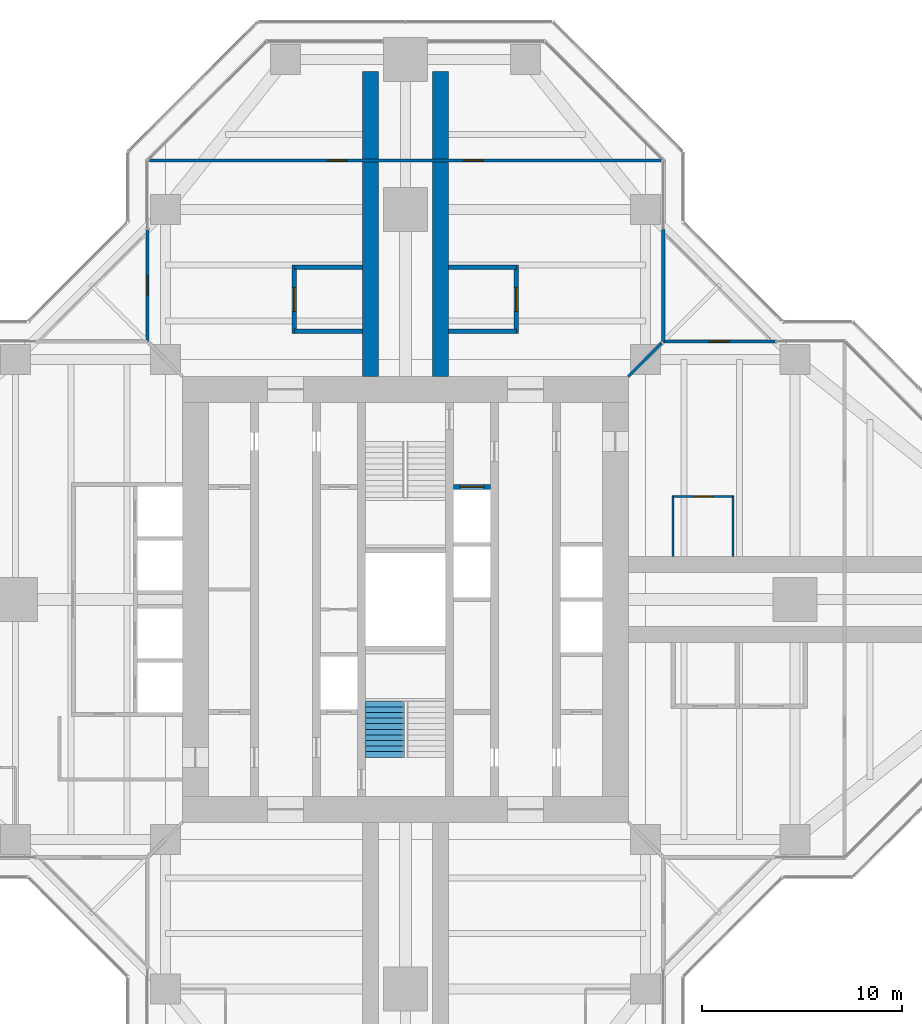
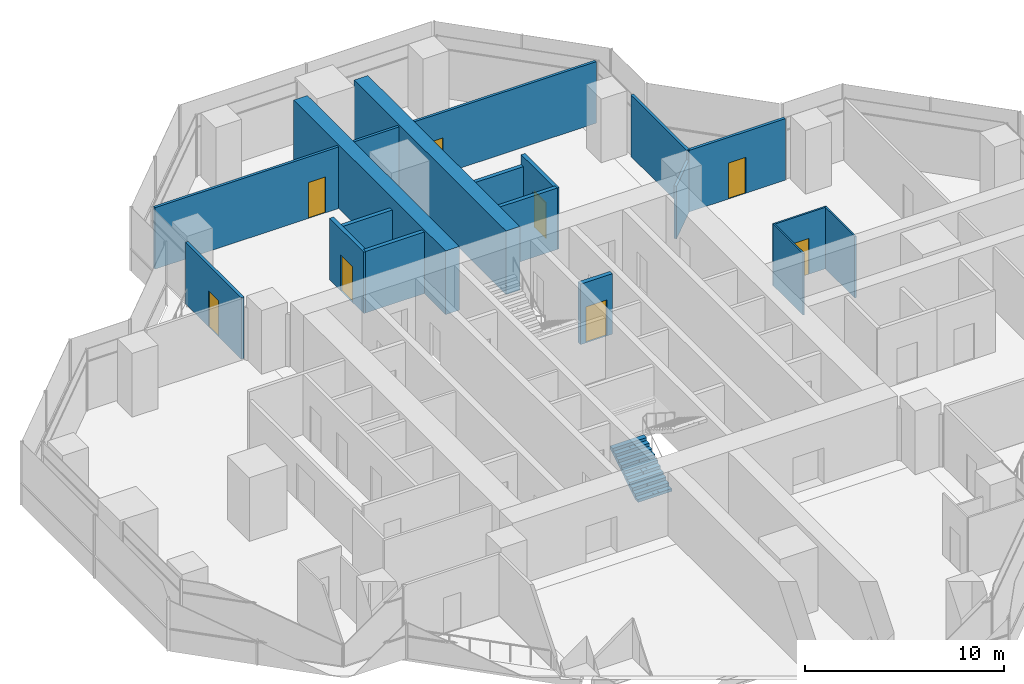
# One storey, part 15 of 17: 17 walls, 8 doors, 1 stair flight, 8 openings, 1 element without a shape of its own.
"""IFC4 building model written with IfcOpenShell, lengths in metres."""

from ifc_helpers import new_model, si_unit, direction, frame, frame_2d, origin, place, context, subcontext, project, spatial, polyline, rectangle, outline, extrude, material, layer, layer_set, type_object, element, fill, aggregate, save


model = new_model("IFC4")

# Units and contexts
model_context = context("Model", 3, precision=1e-05, world=origin(), true_north=direction((0.0, 1.0)))
body_context = subcontext(model_context, "Body", "Model", "MODEL_VIEW")
ifc_project = project(units=[si_unit("LENGTHUNIT", "METRE"), si_unit("AREAUNIT", "SQUARE_METRE"), si_unit("VOLUMEUNIT", "CUBIC_METRE"), si_unit("PLANEANGLEUNIT", "RADIAN"), si_unit("MASSUNIT", "GRAM", prefix="KILO")], contexts=[model_context])

# Site, building, storey
site_placement = place(None, origin())
site = spatial("IfcSite", under=ifc_project, at=site_placement, CompositionType="ELEMENT")
building_placement = place(site_placement, origin())
building = spatial("IfcBuilding", under=site, at=building_placement, Name="Mizan Broadcast Tower", CompositionType="ELEMENT")
storey_placement = place(building_placement, frame((0.0, 0.0, 236.10009765625)))
storey = spatial("IfcBuildingStorey", under=building, at=storey_placement, Name="L55", CompositionType="ELEMENT", Elevation=236.10009765625)

# Wall, opening, door
ifc_material_1 = material(Name="Aluminium framed glazed screen", Category="aluminium")
ifc_layer_1 = layer(ifc_material_1, 0.159912109375)
ifc_layer_set_1 = layer_set([ifc_layer_1], Name="Aluminium framed glazed screen")
wall_type_1 = type_object("IfcWallType", Name="GLAZED SCREEN WALL 160", PredefinedType="SOLIDWALL", material=ifc_layer_set_1)
wall_1_placement = place(storey_placement, frame((18.5, 12.89990234375, 0.0), z_axis=(0.0, 0.0, 1.0), x_axis=(-1.0, 0.0, 0.0)))
wall_1 = element("IfcWall", 1, at=wall_1_placement, inside=storey, type_object=wall_type_1, Name="Winter garden screen L55 E", PredefinedType="SOLIDWALL", context=body_context, shape_type="SweptSolid", body=[
    extrude(rectangle(XDim=5.60009765625, YDim=0.159912109375, at=frame_2d((2.800048828125, 0.0))), origin(), (0.0, 0.0, 1.0), 3.77001953125),
])
opening_1_placement = place(wall_1_placement, frame((2.300048828125, 0.0, 0.0)))
opening_1 = element("IfcOpeningElement", 2, at=opening_1_placement, cuts=wall_1, Name="Opening WGD", PredefinedType="OPENING", context=body_context, shape_type="SweptSolid", body=[
    extrude(rectangle(XDim=1.0, YDim=2.199951171875, at=frame_2d((0.5, 1.10009765625))), frame((0.0, 0.08984375, 0.0), z_axis=(0.0, -1.0, 0.0), x_axis=(1.0, 0.0, 0.0)), (0.0, 0.0, 1.0), 0.179931640625),
])
ifc_material_2 = material(Name="Aluminium framed glazed door", Category="aluminium")
door_type_1 = type_object("IfcDoorType", Name="WINTER GARDEN DOOR 1000 GLAZED", OperationType="SINGLE_SWING_LEFT", PredefinedType="DOOR", material=ifc_material_2)
door_1_placement = place(opening_1_placement, origin())
door_1 = element("IfcDoor", 3, at=door_1_placement, inside=storey, type_object=door_type_1, Name="Winter garden door L55 E", OperationType="SINGLE_SWING_RIGHT", OverallHeight=2.199951171875, OverallWidth=1.0, PredefinedType="DOOR", context=body_context, shape_type="SweptSolid", body=[
    extrude(rectangle(XDim=1.0, YDim=2.199951171875, at=frame_2d((0.5, 1.10009765625))), frame((0.0, 0.02490234375, 0.0), z_axis=(0.0, -1.0, 0.0), x_axis=(1.0, 0.0, 0.0)), (0.0, 0.0, 1.0), 0.050048828125),
])
fill(opening_1, door_1)

# Wall
wall_2_placement = place(storey_placement, frame((12.89990234375, 12.89990234375, 0.0), z_axis=(0.0, 0.0, 1.0), x_axis=(0.0, 1.0, 0.0)))
element("IfcWall", 4, at=wall_2_placement, inside=storey, type_object=wall_type_1, Name="Winter garden screen L55 N", PredefinedType="SOLIDWALL", context=body_context, shape_type="SweptSolid", body=[
    extrude(rectangle(XDim=5.60009765625, YDim=0.159912109375, at=frame_2d((2.800048828125, 0.0))), origin(), (0.0, 0.0, 1.0), 3.77001953125),
])

# Wall, opening, door
wall_3_placement = place(storey_placement, frame((-12.89990234375, 18.5, 0.0), z_axis=(0.0, 0.0, 1.0), x_axis=(0.0, -1.0, 0.0)))
wall_3 = element("IfcWall", 5, at=wall_3_placement, inside=storey, type_object=wall_type_1, Name="Winter garden screen L55 N", PredefinedType="SOLIDWALL", context=body_context, shape_type="SweptSolid", body=[
    extrude(rectangle(XDim=5.60009765625, YDim=0.159912109375, at=frame_2d((2.800048828125, 0.0))), origin(), (0.0, 0.0, 1.0), 3.77001953125),
])
opening_2_placement = place(wall_3_placement, frame((2.300048828125, 0.0, 0.0)))
opening_2 = element("IfcOpeningElement", 6, at=opening_2_placement, cuts=wall_3, Name="Opening WGD", PredefinedType="OPENING", context=body_context, shape_type="SweptSolid", body=[
    extrude(rectangle(XDim=1.0, YDim=2.199951171875, at=frame_2d((0.5, 1.10009765625))), frame((0.0, 0.08984375, 0.0), z_axis=(0.0, -1.0, 0.0), x_axis=(1.0, 0.0, 0.0)), (0.0, 0.0, 1.0), 0.179931640625),
])
door_2_placement = place(opening_2_placement, origin())
door_2 = element("IfcDoor", 7, at=door_2_placement, inside=storey, type_object=door_type_1, Name="Winter garden door L55 N", OperationType="SINGLE_SWING_RIGHT", OverallHeight=2.199951171875, OverallWidth=1.0, PredefinedType="DOOR", context=body_context, shape_type="SweptSolid", body=[
    extrude(rectangle(XDim=1.0, YDim=2.199951171875, at=frame_2d((0.5, 1.10009765625))), frame((0.0, 0.02490234375, 0.0), z_axis=(0.0, -1.0, 0.0), x_axis=(1.0, 0.0, 0.0)), (0.0, 0.0, 1.0), 0.050048828125),
])
fill(opening_2, door_2)

ifc_material_3 = material(Name="Concrete blockwork", Category="masonry")
ifc_layer_2 = layer(ifc_material_3, 0.25)
ifc_layer_set_2 = layer_set([ifc_layer_2], Name="Concrete blockwork")
wall_type_2 = type_object("IfcWallType", Name="LOBBY ENCLOSURE WALL 250", PredefinedType="SOLIDWALL", material=ifc_layer_set_2)
wall_4_placement = place(storey_placement, frame((2.39990234375, 5.625, 0.0), z_axis=(0.0, 0.0, 1.0), x_axis=(1.0, 0.0, 0.0)))
wall_4 = element("IfcWall", 8, at=wall_4_placement, inside=storey, type_object=wall_type_2, Name="Lobby enclosure wall CORE/BE2N", PredefinedType="SOLIDWALL", context=body_context, shape_type="SweptSolid", body=[
    extrude(rectangle(XDim=1.85009765625, YDim=0.25, at=frame_2d((0.925048828125, 0.0))), origin(), (0.0, 0.0, 1.0), 3.699951171875),
])
opening_3_placement = place(wall_4_placement, frame((0.324951171875, 0.0, 0.0)))
opening_3 = element("IfcOpeningElement", 9, at=opening_3_placement, cuts=wall_4, Name="Opening LDF", PredefinedType="OPENING", context=body_context, shape_type="SweptSolid", body=[
    extrude(rectangle(XDim=1.199951171875, YDim=2.199951171875, at=frame_2d((0.60009765625, 1.10009765625))), frame((0.0, 0.135009765625, 0.0), z_axis=(0.0, -1.0, 0.0), x_axis=(1.0, 0.0, 0.0)), (0.0, 0.0, 1.0), 0.27001953125),
])
ifc_material_4 = material(Name="Steel door leaf in steel frame", Category="steel")
door_type_2 = type_object("IfcDoorType", Name="FIREFIGHTING LIFT LANDING DOOR 1200", OperationType="SLIDING_TO_LEFT", PredefinedType="DOOR", material=ifc_material_4)
door_3_placement = place(opening_3_placement, origin())
door_3 = element("IfcDoor", 10, at=door_3_placement, inside=storey, type_object=door_type_2, Name="Landing door FF2", OperationType="SLIDING_TO_LEFT", OverallHeight=2.199951171875, OverallWidth=1.199951171875, PredefinedType="DOOR", context=body_context, shape_type="SweptSolid", body=[
    extrude(rectangle(XDim=1.199951171875, YDim=2.199951171875, at=frame_2d((0.60009765625, 1.10009765625))), frame((0.0, 0.02490234375, 0.0), z_axis=(0.0, -1.0, 0.0), x_axis=(1.0, 0.0, 0.0)), (0.0, 0.0, 1.0), 0.050048828125),
])
fill(opening_3, door_3)

# Wall, openings, doors
ifc_material_5 = material(Name="Gypsum board on steel studs", Category="steel")
ifc_layer_3 = layer(ifc_material_5, 0.14990234375)
ifc_layer_set_3 = layer_set([ifc_layer_3], Name="Gypsum board on steel studs")
wall_type_3 = type_object("IfcWallType", Name="PARTITION 150", PredefinedType="PARTITIONING", material=ifc_layer_set_3)
wall_5_placement = place(storey_placement, frame((12.786376953125, 21.958984375, 0.0), z_axis=(0.0, 0.0, 1.0), x_axis=(-1.0, 0.0, 0.0)))
wall_5 = element("IfcWall", 11, at=wall_5_placement, inside=storey, type_object=wall_type_3, Name="Partition PT/NX1", PredefinedType="PARTITIONING", context=body_context, shape_type="SweptSolid", body=[
    extrude(rectangle(XDim=25.57275390625, YDim=0.14990234375, at=frame_2d((12.786376953125, 0.0))), origin(), (0.0, 0.0, 1.0), 3.77001953125),
])
opening_4_placement = place(wall_5_placement, frame((15.6865234375, 0.0, 0.0)))
opening_4 = element("IfcOpeningElement", 12, at=opening_4_placement, cuts=wall_5, Name="Opening D10", PredefinedType="OPENING", context=body_context, shape_type="SweptSolid", body=[
    extrude(rectangle(XDim=1.0, YDim=2.199951171875, at=frame_2d((0.5, 1.10009765625))), frame((0.0, 0.0849609375, 0.0), z_axis=(0.0, -1.0, 0.0), x_axis=(1.0, 0.0, 0.0)), (0.0, 0.0, 1.0), 0.169921875),
])
opening_5_placement = place(wall_5_placement, frame((8.886474609375, 0.0, 0.0)))
opening_5 = element("IfcOpeningElement", 13, at=opening_5_placement, cuts=wall_5, Name="Opening D10", PredefinedType="OPENING", context=body_context, shape_type="SweptSolid", body=[
    extrude(rectangle(XDim=1.0, YDim=2.199951171875, at=frame_2d((0.5, 1.10009765625))), frame((0.0, 0.0849609375, 0.0), z_axis=(0.0, -1.0, 0.0), x_axis=(1.0, 0.0, 0.0)), (0.0, 0.0, 1.0), 0.169921875),
])
ifc_material_6 = material(Name="Timber door leaf in aluminium frame", Category="wood")
door_type_3 = type_object("IfcDoorType", Name="ROOM DOOR 1000", OperationType="SINGLE_SWING_LEFT", PredefinedType="DOOR", material=ifc_material_6)
door_4_placement = place(opening_4_placement, origin())
door_4 = element("IfcDoor", 14, at=door_4_placement, inside=storey, type_object=door_type_3, Name="Screening room door", OperationType="SINGLE_SWING_RIGHT", OverallHeight=2.199951171875, OverallWidth=1.0, PredefinedType="DOOR", context=body_context, shape_type="SweptSolid", body=[
    extrude(rectangle(XDim=1.0, YDim=2.199951171875, at=frame_2d((0.5, 1.10009765625))), frame((0.0, 0.02490234375, 0.0), z_axis=(0.0, -1.0, 0.0), x_axis=(1.0, 0.0, 0.0)), (0.0, 0.0, 1.0), 0.050048828125),
])
fill(opening_4, door_4)
door_5_placement = place(opening_5_placement, origin())
door_5 = element("IfcDoor", 15, at=door_5_placement, inside=storey, type_object=door_type_3, Name="Screening room door", OperationType="SINGLE_SWING_LEFT", OverallHeight=2.199951171875, OverallWidth=1.0, PredefinedType="DOOR", context=body_context, shape_type="SweptSolid", body=[
    extrude(rectangle(XDim=1.0, YDim=2.199951171875, at=frame_2d((0.5, 1.10009765625))), frame((0.0, 0.02490234375, 0.0), z_axis=(0.0, -1.0, 0.0), x_axis=(1.0, 0.0, 0.0)), (0.0, 0.0, 1.0), 0.050048828125),
])
fill(opening_5, door_5)

# Walls
wall_6_placement = place(storey_placement, frame((11.14990234375, 11.14990234375, 0.0), z_axis=(0.0, 0.0, 1.0), x_axis=(0.707106781187, 0.707106781187, 0.0)))
element("IfcWall", 16, at=wall_6_placement, inside=storey, type_object=wall_type_3, Name="Partition PT/DGEN", PredefinedType="PARTITIONING", context=body_context, shape_type="SweptSolid", body=[
    extrude(rectangle(XDim=2.362060546875, YDim=0.14990234375, at=frame_2d((1.18115234375, 0.0))), origin(), (0.0, 0.0, 1.0), 3.219970703125),
])
ifc_material_7 = material(Name="Twin steel stud acoustic partition, four layers of gypsum board", Category="steel")
ifc_layer_4 = layer(ifc_material_7, 0.22509765625)
ifc_layer_set_4 = layer_set([ifc_layer_4], Name="Twin steel stud acoustic partition, four layers of gypsum board")
wall_type_4 = type_object("IfcWallType", Name="PARTITION ACOUSTIC 225", PredefinedType="PARTITIONING", material=ifc_layer_set_4)
wall_7_placement = place(storey_placement, frame((-2.14990234375, 13.39990234375, 0.0), z_axis=(0.0, 0.0, 1.0), x_axis=(-1.0, 0.0, 0.0)))
element("IfcWall", 17, at=wall_7_placement, inside=storey, type_object=wall_type_4, Name="Acoustic partition PT/NKP0a", PredefinedType="PARTITIONING", context=body_context, shape_type="SweptSolid", body=[
    extrude(rectangle(XDim=3.400146484375, YDim=0.22509765625, at=frame_2d((1.7001953125, 0.0))), origin(), (0.0, 0.0, 1.0), 3.77001953125),
])
wall_8_placement = place(storey_placement, frame((-2.14990234375, 16.60009765625, 0.0), z_axis=(0.0, 0.0, 1.0), x_axis=(-1.0, 0.0, 0.0)))
element("IfcWall", 18, at=wall_8_placement, inside=storey, type_object=wall_type_4, Name="Acoustic partition PT/NKP0b", PredefinedType="PARTITIONING", context=body_context, shape_type="SweptSolid", body=[
    extrude(rectangle(XDim=3.400146484375, YDim=0.22509765625, at=frame_2d((1.7001953125, 0.0))), origin(), (0.0, 0.0, 1.0), 3.179931640625),
])

# Wall, opening, door
wall_9_placement = place(storey_placement, frame((-5.550048828125, 13.28759765625, 0.0), z_axis=(0.0, 0.0, 1.0), x_axis=(0.0, 1.0, 0.0)))
wall_9 = element("IfcWall", 19, at=wall_9_placement, inside=storey, type_object=wall_type_4, Name="Acoustic partition PT/NKP0f", PredefinedType="PARTITIONING", context=body_context, shape_type="SweptSolid", body=[
    extrude(rectangle(XDim=3.4248046875, YDim=0.22509765625, at=frame_2d((1.71240234375, 0.0))), origin(), (0.0, 0.0, 1.0), 3.77001953125),
])
opening_6_placement = place(wall_9_placement, frame((1.112548828125, 0.0, 0.0)))
opening_6 = element("IfcOpeningElement", 20, at=opening_6_placement, cuts=wall_9, Name="Opening D12A", PredefinedType="OPENING", context=body_context, shape_type="SweptSolid", body=[
    extrude(rectangle(XDim=1.199951171875, YDim=2.199951171875, at=frame_2d((0.60009765625, 1.10009765625))), frame((0.0, 0.12255859375, 0.0), z_axis=(0.0, -1.0, 0.0), x_axis=(1.0, 0.0, 0.0)), (0.0, 0.0, 1.0), 0.2451171875),
])
ifc_material_8 = material(Name="Timber door leaf in aluminium frame", Category="wood")
door_type_4 = type_object("IfcDoorType", Name="ACOUSTIC DOOR 1200", OperationType="SINGLE_SWING_LEFT", PredefinedType="DOOR", material=ifc_material_8)
door_6_placement = place(opening_6_placement, origin())
door_6 = element("IfcDoor", 21, at=door_6_placement, inside=storey, type_object=door_type_4, Name="Edit suite door", OperationType="SINGLE_SWING_LEFT", OverallHeight=2.199951171875, OverallWidth=1.199951171875, PredefinedType="DOOR", context=body_context, shape_type="SweptSolid", body=[
    extrude(rectangle(XDim=1.199951171875, YDim=2.199951171875, at=frame_2d((0.60009765625, 1.10009765625))), frame((0.0, 0.02490234375, 0.0), z_axis=(0.0, -1.0, 0.0), x_axis=(1.0, 0.0, 0.0)), (0.0, 0.0, 1.0), 0.050048828125),
])
fill(opening_6, door_6)

# Walls
wall_10_placement = place(storey_placement, frame((2.14990234375, 13.39990234375, 0.0), z_axis=(0.0, 0.0, 1.0), x_axis=(1.0, 0.0, 0.0)))
element("IfcWall", 22, at=wall_10_placement, inside=storey, type_object=wall_type_4, Name="Acoustic partition PT/NKN0a", PredefinedType="PARTITIONING", context=body_context, shape_type="SweptSolid", body=[
    extrude(rectangle(XDim=3.400146484375, YDim=0.22509765625, at=frame_2d((1.7001953125, 0.0))), origin(), (0.0, 0.0, 1.0), 3.77001953125),
])
wall_11_placement = place(storey_placement, frame((2.14990234375, 16.60009765625, 0.0), z_axis=(0.0, 0.0, 1.0), x_axis=(1.0, 0.0, 0.0)))
element("IfcWall", 23, at=wall_11_placement, inside=storey, type_object=wall_type_4, Name="Acoustic partition PT/NKN0b", PredefinedType="PARTITIONING", context=body_context, shape_type="SweptSolid", body=[
    extrude(rectangle(XDim=3.400146484375, YDim=0.22509765625, at=frame_2d((1.7001953125, 0.0))), origin(), (0.0, 0.0, 1.0), 3.179931640625),
])

# Wall, opening, door
wall_12_placement = place(storey_placement, frame((5.550048828125, 13.28759765625, 0.0), z_axis=(0.0, 0.0, 1.0), x_axis=(0.0, 1.0, 0.0)))
wall_12 = element("IfcWall", 24, at=wall_12_placement, inside=storey, type_object=wall_type_4, Name="Acoustic partition PT/NKN0f", PredefinedType="PARTITIONING", context=body_context, shape_type="SweptSolid", body=[
    extrude(rectangle(XDim=3.4248046875, YDim=0.22509765625, at=frame_2d((1.71240234375, 0.0))), origin(), (0.0, 0.0, 1.0), 3.77001953125),
])
opening_7_placement = place(wall_12_placement, frame((1.112548828125, 0.0, 0.0)))
opening_7 = element("IfcOpeningElement", 25, at=opening_7_placement, cuts=wall_12, Name="Opening D12A", PredefinedType="OPENING", context=body_context, shape_type="SweptSolid", body=[
    extrude(rectangle(XDim=1.199951171875, YDim=2.199951171875, at=frame_2d((0.60009765625, 1.10009765625))), frame((0.0, 0.12255859375, 0.0), z_axis=(0.0, -1.0, 0.0), x_axis=(1.0, 0.0, 0.0)), (0.0, 0.0, 1.0), 0.2451171875),
])
door_7_placement = place(opening_7_placement, origin())
door_7 = element("IfcDoor", 26, at=door_7_placement, inside=storey, type_object=door_type_4, Name="Edit suite door", OperationType="SINGLE_SWING_LEFT", OverallHeight=2.199951171875, OverallWidth=1.199951171875, PredefinedType="DOOR", context=body_context, shape_type="SweptSolid", body=[
    extrude(rectangle(XDim=1.199951171875, YDim=2.199951171875, at=frame_2d((0.60009765625, 1.10009765625))), frame((0.0, 0.02490234375, 0.0), z_axis=(0.0, -1.0, 0.0), x_axis=(1.0, 0.0, 0.0)), (0.0, 0.0, 1.0), 0.050048828125),
])
fill(opening_7, door_7)

# Walls
ifc_material_9 = material(Name="Glazed aluminium partition on aluminium track", Category="aluminium")
ifc_layer_5 = layer(ifc_material_9, 0.10009765625)
ifc_layer_set_5 = layer_set([ifc_layer_5], Name="Glazed aluminium partition on aluminium track")
wall_type_5 = type_object("IfcWallType", Name="PARTITION GLAZED OFFICE FRONT 100", PredefinedType="PARTITIONING", material=ifc_layer_set_5)
for number, where, z_axis, x_axis, name in (
    (27, (13.39990234375, 2.14990234375, 0.0), (0.0, 0.0, 1.0), (0.0, 1.0, 0.0), "Glazed office front PT/EKP0a"),
    (28, (16.39990234375, 2.14990234375, 0.0), (0.0, 0.0, 1.0), (0.0, 1.0, 0.0), "Glazed office front PT/EKP0b"),
):
    element("IfcWall", number, at=place(storey_placement, frame(where, z_axis=z_axis, x_axis=x_axis)), inside=storey, type_object=wall_type_5, Name=name, PredefinedType="PARTITIONING", context=body_context, shape_type="SweptSolid", body=[
        extrude(rectangle(XDim=3.0, YDim=0.10009765625, at=frame_2d((1.5, 0.0))), origin(), (0.0, 0.0, 1.0), 3.77001953125),
    ])

# Wall, opening, door
wall_13_placement = place(storey_placement, frame((13.35009765625, 5.14990234375, 0.0), z_axis=(0.0, 0.0, 1.0), x_axis=(1.0, 0.0, 0.0)))
wall_13 = element("IfcWall", 29, at=wall_13_placement, inside=storey, type_object=wall_type_5, Name="Glazed office front PT/EKP0f", PredefinedType="PARTITIONING", context=body_context, shape_type="SweptSolid", body=[
    extrude(rectangle(XDim=3.099853515625, YDim=0.10009765625, at=frame_2d((1.5498046875, 0.0))), origin(), (0.0, 0.0, 1.0), 3.77001953125),
])
opening_8_placement = place(wall_13_placement, frame((1.050048828125, 0.0, 0.0)))
opening_8 = element("IfcOpeningElement", 30, at=opening_8_placement, cuts=wall_13, Name="Opening D10O", PredefinedType="OPENING", context=body_context, shape_type="SweptSolid", body=[
    extrude(rectangle(XDim=1.0, YDim=2.199951171875, at=frame_2d((0.5, 1.10009765625))), frame((0.0, 0.06005859375, 0.0), z_axis=(0.0, -1.0, 0.0), x_axis=(1.0, 0.0, 0.0)), (0.0, 0.0, 1.0), 0.1201171875),
])
ifc_material_10 = material(Name="Timber door leaf in aluminium frame", Category="wood")
door_type_5 = type_object("IfcDoorType", Name="OFFICE DOOR 1000 GLAZED", OperationType="SINGLE_SWING_LEFT", PredefinedType="DOOR", material=ifc_material_10)
door_8_placement = place(opening_8_placement, origin())
door_8 = element("IfcDoor", 31, at=door_8_placement, inside=storey, type_object=door_type_5, Name="Pantry door", OperationType="SINGLE_SWING_LEFT", OverallHeight=2.199951171875, OverallWidth=1.0, PredefinedType="DOOR", context=body_context, shape_type="SweptSolid", body=[
    extrude(rectangle(XDim=1.0, YDim=2.199951171875, at=frame_2d((0.5, 1.10009765625))), frame((0.0, 0.02490234375, 0.0), z_axis=(0.0, -1.0, 0.0), x_axis=(1.0, 0.0, 0.0)), (0.0, 0.0, 1.0), 0.050048828125),
])
fill(opening_8, door_8)

# Walls
ifc_material_11 = material(Name="Concrete C70/85", Category="concrete")
ifc_layer_6 = layer(ifc_material_11, 0.800048828125)
ifc_layer_set_6 = layer_set([ifc_layer_6], Name="Concrete C70/85")
wall_type_6 = type_object("IfcWallType", Name="SPINE WALL 800", PredefinedType="SHEAR", material=ifc_layer_set_6)
for number, where, z_axis, x_axis, name in (
    (32, (1.75, 11.14990234375, 0.0), (0.0, 0.0, 1.0), (0.0, 1.0, 0.0), "Spine wall NR L55"),
    (33, (-1.75, 11.14990234375, 0.0), (0.0, 0.0, 1.0), (0.0, 1.0, 0.0), "Spine wall NL L55"),
):
    element("IfcWall", number, at=place(storey_placement, frame(where, z_axis=z_axis, x_axis=x_axis)), inside=storey, type_object=wall_type_6, Name=name, PredefinedType="SHEAR", context=body_context, shape_type="SweptSolid", body=[
        extrude(rectangle(XDim=15.25, YDim=0.800048828125, at=frame_2d((7.625, 0.0))), origin(), (0.0, 0.0, 1.0), 3.89990234375),
    ])

# Stair, stair flight
ifc_material_12 = material(Name="Concrete C40/50", Category="concrete")
stair_type = type_object("IfcStairType", Name="EXIT STAIR", PredefinedType="HALF_TURN_STAIR", material=ifc_material_12)
stair_placement = place(storey_placement, origin())
stair = element("IfcStair", 34, at=stair_placement, inside=storey, type_object=stair_type, Name="Stair A L55", PredefinedType="HALF_TURN_STAIR")
ifc_material_13 = material(Name="Concrete C40/50", Category="concrete")
stair_flight_type = type_object("IfcStairFlightType", Name="EXIT STAIR FLIGHT", PredefinedType="STRAIGHT", material=ifc_material_13)
stair_flight_placement = place(storey_placement, frame((-1.02490234375, -7.89990234375, 0.0), z_axis=(0.0, 0.0, 1.0), x_axis=(0.0, 1.0, 0.0)))
stair_flight = element("IfcStairFlight", 35, at=stair_flight_placement, type_object=stair_flight_type, Name="A flight 1", NumberOfRisers=11, NumberOfTreads=10, PredefinedType="STRAIGHT", RiserHeight=0.177272727, TreadLength=0.28, context=body_context, shape_type="SweptSolid", body=[
    extrude(outline(polyline([(0.0, 0.0), (0.0, 0.17724609375), (0.280029296875, 0.17724609375), (0.280029296875, 0.3544921875), (0.56005859375, 0.3544921875), (0.56005859375, 0.53173828125), (0.840087890625, 0.53173828125), (0.840087890625, 0.708984375), (1.1201171875, 0.708984375), (1.1201171875, 0.886474609375), (1.39990234375, 0.886474609375), (1.39990234375, 1.063720703125), (1.679931640625, 1.063720703125), (1.679931640625, 1.240966796875), (1.9599609375, 1.240966796875), (1.9599609375, 1.418212890625), (2.239990234375, 1.418212890625), (2.239990234375, 1.595458984375), (2.52001953125, 1.595458984375), (2.52001953125, 1.772705078125), (2.800048828125, 1.772705078125), (2.800048828125, 1.949951171875), (2.800048828125, 1.59521484375), (0.2802734375, 0.0), (0.0, 0.0)])), frame((0.0, 0.97509765625, 0.0), z_axis=(0.0, -1.0, 0.0), x_axis=(1.0, 0.0, 0.0)), (0.0, 0.0, 1.0), 0.4873046875),
    extrude(outline(polyline([(0.0, 0.0), (0.0, 0.17724609375), (0.280029296875, 0.17724609375), (0.280029296875, 0.3544921875), (0.56005859375, 0.3544921875), (0.56005859375, 0.53173828125), (0.840087890625, 0.53173828125), (0.840087890625, 0.708984375), (1.1201171875, 0.708984375), (1.1201171875, 0.886474609375), (1.39990234375, 0.886474609375), (1.39990234375, 1.063720703125), (1.679931640625, 1.063720703125), (1.679931640625, 1.240966796875), (1.9599609375, 1.240966796875), (1.9599609375, 1.418212890625), (2.239990234375, 1.418212890625), (2.239990234375, 1.595458984375), (2.52001953125, 1.595458984375), (2.52001953125, 1.772705078125), (2.800048828125, 1.772705078125), (2.800048828125, 1.949951171875), (2.800048828125, 1.59521484375), (0.2802734375, 0.0), (0.0, 0.0)])), frame((0.0, 0.4873046875, 0.0), z_axis=(0.0, -1.0, 0.0), x_axis=(1.0, 0.0, 0.0)), (0.0, 0.0, 1.0), 0.2431640625),
    extrude(outline(polyline([(0.0, 0.0), (0.0, 0.17724609375), (0.280029296875, 0.17724609375), (0.280029296875, 0.3544921875), (0.56005859375, 0.3544921875), (0.56005859375, 0.53173828125), (0.840087890625, 0.53173828125), (0.840087890625, 0.708984375), (1.1201171875, 0.708984375), (1.1201171875, 0.886474609375), (1.39990234375, 0.886474609375), (1.39990234375, 1.063720703125), (1.679931640625, 1.063720703125), (1.679931640625, 1.240966796875), (1.9599609375, 1.240966796875), (1.9599609375, 1.418212890625), (2.239990234375, 1.418212890625), (2.239990234375, 1.595458984375), (2.52001953125, 1.595458984375), (2.52001953125, 1.772705078125), (2.800048828125, 1.772705078125), (2.800048828125, 1.949951171875), (2.800048828125, 1.59521484375), (0.2802734375, 0.0), (0.0, 0.0)])), frame((0.0, 0.24365234375, 0.0), z_axis=(0.0, -1.0, 0.0), x_axis=(1.0, 0.0, 0.0)), (0.0, 0.0, 1.0), 0.121337890625),
    extrude(outline(polyline([(0.0, 0.0), (0.0, 0.17724609375), (0.280029296875, 0.17724609375), (0.280029296875, 0.3544921875), (0.56005859375, 0.3544921875), (0.56005859375, 0.53173828125), (0.840087890625, 0.53173828125), (0.840087890625, 0.708984375), (1.1201171875, 0.708984375), (1.1201171875, 0.886474609375), (1.39990234375, 0.886474609375), (1.39990234375, 1.063720703125), (1.679931640625, 1.063720703125), (1.679931640625, 1.240966796875), (1.9599609375, 1.240966796875), (1.9599609375, 1.418212890625), (2.239990234375, 1.418212890625), (2.239990234375, 1.595458984375), (2.52001953125, 1.595458984375), (2.52001953125, 1.772705078125), (2.800048828125, 1.772705078125), (2.800048828125, 1.949951171875), (2.800048828125, 1.59521484375), (0.2802734375, 0.0), (0.0, 0.0)])), frame((0.0, 0.121826171875, 0.0), z_axis=(0.0, -1.0, 0.0), x_axis=(1.0, 0.0, 0.0)), (0.0, 0.0, 1.0), 0.060546875),
    extrude(outline(polyline([(0.0, 0.0), (0.0, 0.17724609375), (0.280029296875, 0.17724609375), (0.280029296875, 0.3544921875), (0.56005859375, 0.3544921875), (0.56005859375, 0.53173828125), (0.840087890625, 0.53173828125), (0.840087890625, 0.708984375), (1.1201171875, 0.708984375), (1.1201171875, 0.886474609375), (1.39990234375, 0.886474609375), (1.39990234375, 1.063720703125), (1.679931640625, 1.063720703125), (1.679931640625, 1.240966796875), (1.9599609375, 1.240966796875), (1.9599609375, 1.418212890625), (2.239990234375, 1.418212890625), (2.239990234375, 1.595458984375), (2.52001953125, 1.595458984375), (2.52001953125, 1.772705078125), (2.800048828125, 1.772705078125), (2.800048828125, 1.949951171875), (2.800048828125, 1.59521484375), (0.2802734375, 0.0), (0.0, 0.0)])), frame((0.0, 0.060791015625, 0.0), z_axis=(0.0, -1.0, 0.0), x_axis=(1.0, 0.0, 0.0)), (0.0, 0.0, 1.0), 0.030029296875),
    extrude(outline(polyline([(0.0, 0.0), (0.0, 0.17724609375), (0.280029296875, 0.17724609375), (0.280029296875, 0.3544921875), (0.56005859375, 0.3544921875), (0.56005859375, 0.53173828125), (0.840087890625, 0.53173828125), (0.840087890625, 0.708984375), (1.1201171875, 0.708984375), (1.1201171875, 0.886474609375), (1.39990234375, 0.886474609375), (1.39990234375, 1.063720703125), (1.679931640625, 1.063720703125), (1.679931640625, 1.240966796875), (1.9599609375, 1.240966796875), (1.9599609375, 1.418212890625), (2.239990234375, 1.418212890625), (2.239990234375, 1.595458984375), (2.52001953125, 1.595458984375), (2.52001953125, 1.772705078125), (2.800048828125, 1.772705078125), (2.800048828125, 1.949951171875), (2.800048828125, 1.59521484375), (0.2802734375, 0.0), (0.0, 0.0)])), frame((0.0, 0.0302734375, 0.0), z_axis=(0.0, -1.0, 0.0), x_axis=(1.0, 0.0, 0.0)), (0.0, 0.0, 1.0), 0.060302734375),
    extrude(outline(polyline([(0.0, 0.0), (0.0, 0.17724609375), (0.280029296875, 0.17724609375), (0.280029296875, 0.3544921875), (0.56005859375, 0.3544921875), (0.56005859375, 0.53173828125), (0.840087890625, 0.53173828125), (0.840087890625, 0.708984375), (1.1201171875, 0.708984375), (1.1201171875, 0.886474609375), (1.39990234375, 0.886474609375), (1.39990234375, 1.063720703125), (1.679931640625, 1.063720703125), (1.679931640625, 1.240966796875), (1.9599609375, 1.240966796875), (1.9599609375, 1.418212890625), (2.239990234375, 1.418212890625), (2.239990234375, 1.595458984375), (2.52001953125, 1.595458984375), (2.52001953125, 1.772705078125), (2.800048828125, 1.772705078125), (2.800048828125, 1.949951171875), (2.800048828125, 1.59521484375), (0.2802734375, 0.0), (0.0, 0.0)])), frame((0.0, -0.030517578125, 0.0), z_axis=(0.0, -1.0, 0.0), x_axis=(1.0, 0.0, 0.0)), (0.0, 0.0, 1.0), 0.030029296875),
    extrude(outline(polyline([(0.0, 0.0), (0.0, 0.17724609375), (0.280029296875, 0.17724609375), (0.280029296875, 0.3544921875), (0.56005859375, 0.3544921875), (0.56005859375, 0.53173828125), (0.840087890625, 0.53173828125), (0.840087890625, 0.708984375), (1.1201171875, 0.708984375), (1.1201171875, 0.886474609375), (1.39990234375, 0.886474609375), (1.39990234375, 1.063720703125), (1.679931640625, 1.063720703125), (1.679931640625, 1.240966796875), (1.9599609375, 1.240966796875), (1.9599609375, 1.418212890625), (2.239990234375, 1.418212890625), (2.239990234375, 1.595458984375), (2.52001953125, 1.595458984375), (2.52001953125, 1.772705078125), (2.800048828125, 1.772705078125), (2.800048828125, 1.949951171875), (2.800048828125, 1.59521484375), (0.2802734375, 0.0), (0.0, 0.0)])), frame((0.0, -0.06103515625, 0.0), z_axis=(0.0, -1.0, 0.0), x_axis=(1.0, 0.0, 0.0)), (0.0, 0.0, 1.0), 0.060546875),
    extrude(outline(polyline([(0.0, 0.0), (0.0, 0.17724609375), (0.280029296875, 0.17724609375), (0.280029296875, 0.3544921875), (0.56005859375, 0.3544921875), (0.56005859375, 0.53173828125), (0.840087890625, 0.53173828125), (0.840087890625, 0.708984375), (1.1201171875, 0.708984375), (1.1201171875, 0.886474609375), (1.39990234375, 0.886474609375), (1.39990234375, 1.063720703125), (1.679931640625, 1.063720703125), (1.679931640625, 1.240966796875), (1.9599609375, 1.240966796875), (1.9599609375, 1.418212890625), (2.239990234375, 1.418212890625), (2.239990234375, 1.595458984375), (2.52001953125, 1.595458984375), (2.52001953125, 1.772705078125), (2.800048828125, 1.772705078125), (2.800048828125, 1.949951171875), (2.800048828125, 1.59521484375), (0.2802734375, 0.0), (0.0, 0.0)])), frame((0.0, -0.1220703125, 0.0), z_axis=(0.0, -1.0, 0.0), x_axis=(1.0, 0.0, 0.0)), (0.0, 0.0, 1.0), 0.121337890625),
    extrude(outline(polyline([(0.0, 0.0), (0.0, 0.17724609375), (0.280029296875, 0.17724609375), (0.280029296875, 0.3544921875), (0.56005859375, 0.3544921875), (0.56005859375, 0.53173828125), (0.840087890625, 0.53173828125), (0.840087890625, 0.708984375), (1.1201171875, 0.708984375), (1.1201171875, 0.886474609375), (1.39990234375, 0.886474609375), (1.39990234375, 1.063720703125), (1.679931640625, 1.063720703125), (1.679931640625, 1.240966796875), (1.9599609375, 1.240966796875), (1.9599609375, 1.418212890625), (2.239990234375, 1.418212890625), (2.239990234375, 1.595458984375), (2.52001953125, 1.595458984375), (2.52001953125, 1.772705078125), (2.800048828125, 1.772705078125), (2.800048828125, 1.949951171875), (2.800048828125, 1.59521484375), (0.2802734375, 0.0), (0.0, 0.0)])), frame((0.0, -0.243896484375, 0.0), z_axis=(0.0, -1.0, 0.0), x_axis=(1.0, 0.0, 0.0)), (0.0, 0.0, 1.0), 0.2431640625),
    extrude(outline(polyline([(0.0, 0.0), (0.0, 0.17724609375), (0.280029296875, 0.17724609375), (0.280029296875, 0.3544921875), (0.56005859375, 0.3544921875), (0.56005859375, 0.53173828125), (0.840087890625, 0.53173828125), (0.840087890625, 0.708984375), (1.1201171875, 0.708984375), (1.1201171875, 0.886474609375), (1.39990234375, 0.886474609375), (1.39990234375, 1.063720703125), (1.679931640625, 1.063720703125), (1.679931640625, 1.240966796875), (1.9599609375, 1.240966796875), (1.9599609375, 1.418212890625), (2.239990234375, 1.418212890625), (2.239990234375, 1.595458984375), (2.52001953125, 1.595458984375), (2.52001953125, 1.772705078125), (2.800048828125, 1.772705078125), (2.800048828125, 1.949951171875), (2.800048828125, 1.59521484375), (0.2802734375, 0.0), (0.0, 0.0)])), frame((0.0, -0.487548828125, 0.0), z_axis=(0.0, -1.0, 0.0), x_axis=(1.0, 0.0, 0.0)), (0.0, 0.0, 1.0), 0.4873046875),
])
aggregate(stair, [stair_flight])

save(model, "model.ifc")
